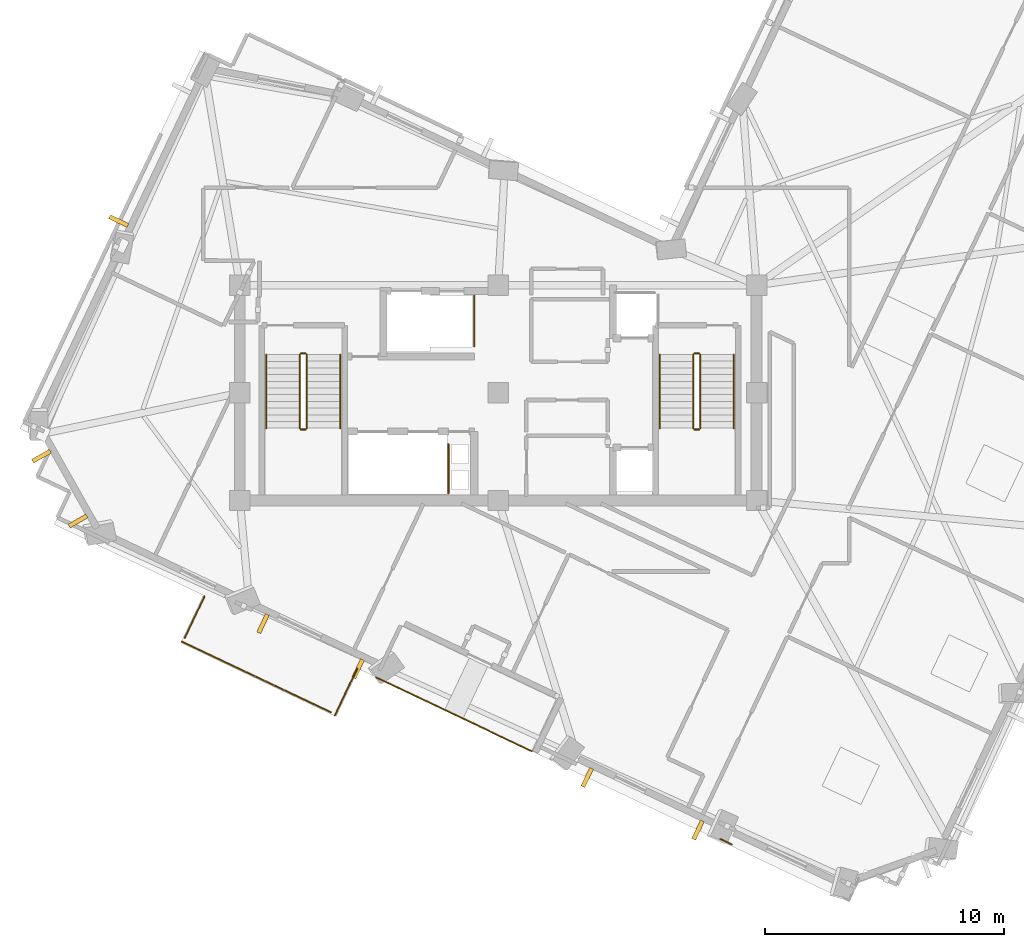
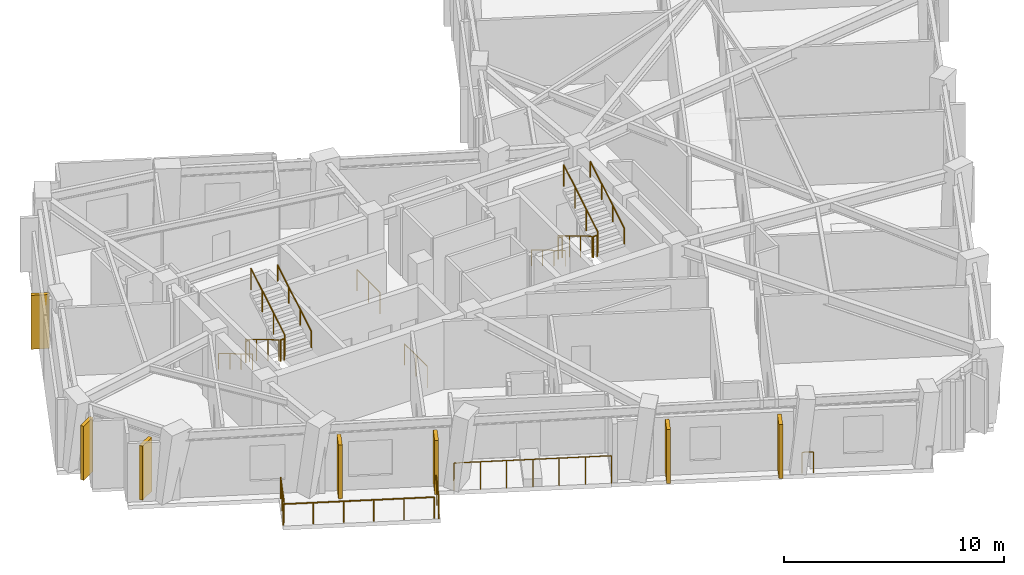
# One storey, part 10 of 13: 19 railings, 7 shading devices.
"""IFC4 building model written with IfcOpenShell, lengths in metres."""

import ifcopenshell
import ifcopenshell.guid

model = None  # the IFC model being written
_history = None  # IfcOwnerHistory: only IFC2X3 demands one
_inside = {}  # id of a spatial element -> (the spatial element, [elements in it])
_under = {}  # id of a project, library or spatial element -> (it, [spatial elements below it])
_declared = {}  # id of a project -> (the project, [libraries it declares])
_typed = {}  # id of a type object -> (the type object, [elements of that type])
_made_of = {}  # id of a material, layer set ... -> (it, [elements and type objects made of it])


def new_model(schema):
    """Start an empty IFC model of exactly this schema.

    Asked for "IFC4X3", IfcOpenShell would pick the latest addendum, in which some entities
    have other attributes; the version numbers below select the first issue.
    IFC2X3 requires an IfcOwnerHistory on every rooted entity: one is made here for all.
    """
    global model, _history
    if schema == "IFC4X3":
        model = ifcopenshell.file(schema_version=(4, 3, 0, 0))
    else:
        model = ifcopenshell.file(schema=schema)
    _inside.clear()
    _under.clear()
    _declared.clear()
    _typed.clear()
    _made_of.clear()
    _history = None
    if model.schema == "IFC2X3":
        org = make("IfcOrganization", Name="unknown")
        user = make(
            "IfcPersonAndOrganization",
            ThePerson=make("IfcPerson", FamilyName="unknown"),
            TheOrganization=org,
        )
        app = make(
            "IfcApplication",
            ApplicationDeveloper=org,
            Version="unknown",
            ApplicationFullName="unknown",
            ApplicationIdentifier="unknown",
        )
        _history = make(
            "IfcOwnerHistory",
            OwningUser=user,
            OwningApplication=app,
            ChangeAction="ADDED",
            CreationDate=0,
        )
    return model


def make(cls, **values):
    """One entity of the class cls with the attributes given. An attribute that is None is left unset."""
    return model.create_entity(
        cls, **{name: value for name, value in values.items() if value is not None}
    )


def rooted(cls, **values):
    """An entity with a GlobalId (a new one), such as an element, a storey or a relation."""
    return make(cls, GlobalId=ifcopenshell.guid.new(), OwnerHistory=_history, **values)


def si_unit(unit_type, name, prefix=None):
    """IfcSIUnit, for example si_unit("LENGTHUNIT", "METRE", prefix="MILLI")."""
    return make("IfcSIUnit", UnitType=unit_type, Prefix=prefix, Name=name)


def assignment(units):
    """IfcUnitAssignment: the units of a project."""
    return None if units is None else make("IfcUnitAssignment", Units=units)


def point(xyz):
    """IfcCartesianPoint."""
    return None if xyz is None else make("IfcCartesianPoint", Coordinates=xyz)


def direction(xyz):
    """IfcDirection."""
    return None if xyz is None else make("IfcDirection", DirectionRatios=xyz)


def frame(location, z_axis=None, x_axis=None):
    """IfcAxis2Placement3D, a coordinate frame: its origin and axes. An axis left out is left unset."""
    return make(
        "IfcAxis2Placement3D",
        Location=point(location),
        Axis=direction(z_axis),
        RefDirection=direction(x_axis),
    )


def frame_2d(location, x_axis=None):
    """IfcAxis2Placement2D, a coordinate frame in the plane: its origin and x axis."""
    return make(
        "IfcAxis2Placement2D", Location=point(location), RefDirection=direction(x_axis)
    )


def origin():
    """The frame at (0, 0, 0) with its axes left unset."""
    return frame((0.0, 0.0, 0.0))


def origin_2d():
    """The frame at (0, 0) in the plane with its x axis left unset."""
    return frame_2d((0.0, 0.0))


def place(relative_to, where):
    """IfcLocalPlacement: puts the frame where relative to a parent placement (None: the world)."""
    return make(
        "IfcLocalPlacement", PlacementRelTo=relative_to, RelativePlacement=where
    )


def context(
    kind, dimensions, precision=None, world=None, true_north=None, identifier=None
):
    """IfcGeometricRepresentationContext, for example the 3D "Model" context."""
    return make(
        "IfcGeometricRepresentationContext",
        ContextIdentifier=identifier,
        ContextType=kind,
        CoordinateSpaceDimension=dimensions,
        Precision=precision,
        WorldCoordinateSystem=world,
        TrueNorth=true_north,
    )


def subcontext(parent, identifier, kind, view, scale=None):
    """IfcGeometricRepresentationSubContext, for example "Body" below "Model"."""
    return make(
        "IfcGeometricRepresentationSubContext",
        ContextIdentifier=identifier,
        ContextType=kind,
        ParentContext=parent,
        TargetScale=scale,
        TargetView=view,
    )


def project(units=None, contexts=None):
    """IfcProject with its units and contexts."""
    return rooted(
        "IfcProject",
        Name="project",
        RepresentationContexts=contexts,
        UnitsInContext=assignment(units),
    )


def spatial(cls, under=None, at=None, **own):
    """A site, building, storey or space (cls), placed at a placement, below another one or the project."""
    s = rooted(cls, ObjectPlacement=at, **own)
    if under is not None:
        _under.setdefault(under.id(), (under, []))[1].append(s)
    return s


def profile(cls, at=None, kind="AREA", **sizes):
    """A parametric profile (cls). Its sizes go by their IFC names, for example OverallWidth=200.0."""
    return make(cls, ProfileType=kind, Position=at, **sizes)


def rectangle(**sizes):
    """IfcRectangleProfileDef."""
    return profile("IfcRectangleProfileDef", **sizes)


def circle(**sizes):
    """IfcCircleProfileDef."""
    return profile("IfcCircleProfileDef", **sizes)


def extrude(swept, where, along, depth):
    """IfcExtrudedAreaSolid: the profile swept, set in the frame where, extruded along a direction by depth."""
    return make(
        "IfcExtrudedAreaSolid",
        SweptArea=swept,
        Position=where,
        ExtrudedDirection=direction(along),
        Depth=depth,
    )


def shape(context_of_items, identifier, shape_type, items):
    """IfcShapeRepresentation: the items that make up one representation, for example the "Body"."""
    return make(
        "IfcShapeRepresentation",
        ContextOfItems=context_of_items,
        RepresentationIdentifier=identifier,
        RepresentationType=shape_type,
        Items=items,
    )


def material(Name=None, Category=None):
    """IfcMaterial."""
    return make("IfcMaterial", Name=Name, Category=Category)


def layer(
    of_material, thickness, ventilated=None, Name=None, Category=None, Priority=None
):
    """IfcMaterialLayer: one layer of a wall or slab, of a material (None: an air gap)."""
    return make(
        "IfcMaterialLayer",
        Material=of_material,
        LayerThickness=thickness,
        IsVentilated=ventilated,
        Name=Name,
        Category=Category,
        Priority=Priority,
    )


def layer_set(layers, Name=None):
    """IfcMaterialLayerSet."""
    return make("IfcMaterialLayerSet", MaterialLayers=layers, LayerSetName=Name)


def made_of(thing, what):
    """Note that an element or type object is made of a material, layer set ...; save() writes the relation."""
    if what is not None:
        _made_of.setdefault(what.id(), (what, []))[1].append(thing)
    return thing


def type_object(cls, material=None, **own):
    """A type object (cls), such as IfcWallType, which elements share."""
    return made_of(rooted(cls, **own), material)


def element(
    cls,
    number,
    at=None,
    inside=None,
    cuts=None,
    type_object=None,
    material=None,
    context=None,
    identifier="Body",
    shape_type=None,
    held_by="IfcProductDefinitionShape",
    body=None,
    shapes=None,
    **own,
):
    """One element of the class cls, such as IfcWall. Its Tag is "e" and its number.

    at: its placement. inside: the storey or other place that contains it. cuts: it is an
    opening in that element (IfcRelVoidsElement). A single representation is given by context,
    identifier, shape_type and body (its items); several are given by shapes. held_by: the class
    of the entity that holds the representations. save() writes the other relations.
    """
    e = rooted(cls, Tag="e%d" % number, ObjectPlacement=at, **own)
    if body is not None:
        shapes = [shape(context, identifier, shape_type, body)]
    if shapes is not None:
        e.Representation = make(held_by, Representations=shapes)
    if inside is not None:
        _inside.setdefault(inside.id(), (inside, []))[1].append(e)
    if cuts is not None:
        rooted(
            "IfcRelVoidsElement", RelatingBuildingElement=cuts, RelatedOpeningElement=e
        )
    if type_object is not None:
        _typed.setdefault(type_object.id(), (type_object, []))[1].append(e)
    return made_of(e, material)


def aggregate(whole, parts):
    """IfcRelAggregates: a whole, such as a stair, and the parts it consists of."""
    return rooted("IfcRelAggregates", RelatingObject=whole, RelatedObjects=parts)


def save(model, path):
    """Write the relations noted so far, then the file.

    IfcRelAggregates (storeys below a building ...), IfcRelContainedInSpatialStructure (elements
    in a storey), IfcRelDefinesByType, IfcRelAssociatesMaterial and IfcRelDeclares: one each for
    every whole, place, type object, material and project.
    """
    for whole, parts in _under.values():
        aggregate(whole, parts)
    for where, things in _inside.values():
        rooted(
            "IfcRelContainedInSpatialStructure",
            RelatedElements=things,
            RelatingStructure=where,
        )
    for kind, things in _typed.values():
        rooted("IfcRelDefinesByType", RelatedObjects=things, RelatingType=kind)
    for what, things in _made_of.values():
        rooted("IfcRelAssociatesMaterial", RelatedObjects=things, RelatingMaterial=what)
    for by, libraries in _declared.values():
        rooted("IfcRelDeclares", RelatingContext=by, RelatedDefinitions=libraries)
    model.write(path)


model = new_model("IFC4")

# Units and contexts
model_context = context("Model", 3, precision=1e-05, world=origin(), true_north=direction((0.0, 1.0)))
body_context = subcontext(model_context, "Body", "Model", "MODEL_VIEW")
ifc_project = project(units=[si_unit("LENGTHUNIT", "METRE"), si_unit("AREAUNIT", "SQUARE_METRE"), si_unit("VOLUMEUNIT", "CUBIC_METRE"), si_unit("PLANEANGLEUNIT", "RADIAN"), si_unit("MASSUNIT", "GRAM", prefix="KILO")], contexts=[model_context])

# Site, building, storey
site_placement = place(None, origin())
site = spatial("IfcSite", under=ifc_project, at=site_placement, CompositionType="ELEMENT")
building_placement = place(site_placement, origin())
building = spatial("IfcBuilding", under=site, at=building_placement, Name="Gaonmaruhae Medical Tower", CompositionType="ELEMENT")
storey_placement = place(building_placement, frame((0.0, 0.0, 300.60009765625)))
storey = spatial("IfcBuildingStorey", under=building, at=storey_placement, Name="L72", CompositionType="ELEMENT", Elevation=300.60009765625)

# Railings
ifc_material_1 = material(Name="Stainless steel 316L and laminated safety glass", Category="steel")
ifc_layer_1 = layer(ifc_material_1, 0.080078125)
ifc_layer_set_1 = layer_set([ifc_layer_1], Name="Stainless steel 316L and laminated safety glass")
railing_type_1 = type_object("IfcRailingType", Name="GD-120 Outdoor Terrace Safety Glass & Steel Balustrade", PredefinedType="BALUSTRADE", material=ifc_layer_set_1)
railing_1_placement = place(storey_placement, frame((34.55810546875, -6.57373046875, 0.0)))
element("IfcRailing", 1, at=railing_1_placement, inside=storey, type_object=railing_type_1, Name="L72 Perimeter Slab Edge Safety Balustrade 05", PredefinedType="BALUSTRADE", context=body_context, shape_type="SweptSolid", body=[
    extrude(circle(Radius=0.02392578125, at=origin_2d()), frame((0.0, 0.0, 1.17578125), z_axis=(-0.903373264653, 0.428855155862, 0.0), x_axis=(-0.428855155862, -0.903373264653, 0.0)), (0.0, 0.0, 1.0), 0.5185546875),
    extrude(circle(Radius=0.02099609375, at=origin_2d()), origin(), (0.0, 0.0, 1.0), 1.15185546875),
    extrude(circle(Radius=0.02099609375, at=origin_2d()), frame((-0.468505859375, 0.222412109375, 0.0)), (0.0, 0.0, 1.0), 1.15185546875),
])
railing_2_placement = place(storey_placement, frame((18.898193359375, 0.762451171875, 0.0)))
element("IfcRailing", 2, at=railing_2_placement, inside=storey, type_object=railing_type_1, Name="L72 Perimeter Slab Edge Safety Balustrade 06", PredefinedType="BALUSTRADE", context=body_context, shape_type="SweptSolid", body=[
    extrude(circle(Radius=0.02392578125, at=origin_2d()), frame((0.0, 0.0, 1.17578125), z_axis=(-0.428946145243, -0.903330063975, 0.0), x_axis=(0.903330063975, -0.428946145243, 0.0)), (0.0, 0.0, 1.0), 2.159912109375),
    extrude(circle(Radius=0.02099609375, at=origin_2d()), origin(), (0.0, 0.0, 1.0), 1.15185546875),
    extrude(circle(Radius=0.02099609375, at=origin_2d()), frame((-0.46337890625, -0.9755859375, 0.0)), (0.0, 0.0, 1.0), 1.15185546875),
    extrude(circle(Radius=0.02099609375, at=origin_2d()), frame((-0.926513671875, -1.951171875, 0.0)), (0.0, 0.0, 1.0), 1.15185546875),
])
railing_3_placement = place(storey_placement, frame((17.8037109375, -1.053466796875, 0.0)))
element("IfcRailing", 3, at=railing_3_placement, inside=storey, type_object=railing_type_1, Name="L72 Perimeter Slab Edge Safety Balustrade 07", PredefinedType="BALUSTRADE", context=body_context, shape_type="SweptSolid", body=[
    extrude(circle(Radius=0.02392578125, at=origin_2d()), frame((0.0, 0.0, 1.17578125), z_axis=(-0.903335431509, 0.428934841416, 0.0), x_axis=(-0.428934841416, -0.903335431509, 0.0)), (0.0, 0.0, 1.0), 6.900146484375),
    extrude(circle(Radius=0.02099609375, at=origin_2d()), origin(), (0.0, 0.0, 1.0), 1.15185546875),
    extrude(circle(Radius=0.02099609375, at=origin_2d()), frame((-1.24658203125, 0.592041015625, 0.0)), (0.0, 0.0, 1.0), 1.15185546875),
    extrude(circle(Radius=0.02099609375, at=origin_2d()), frame((-2.4931640625, 1.183837890625, 0.0)), (0.0, 0.0, 1.0), 1.15185546875),
    extrude(circle(Radius=0.02099609375, at=origin_2d()), frame((-3.739990234375, 1.77587890625, 0.0)), (0.0, 0.0, 1.0), 1.15185546875),
    extrude(circle(Radius=0.02099609375, at=origin_2d()), frame((-4.986572265625, 2.36767578125, 0.0)), (0.0, 0.0, 1.0), 1.15185546875),
    extrude(circle(Radius=0.02099609375, at=origin_2d()), frame((-6.233154296875, 2.959716796875, 0.0)), (0.0, 0.0, 1.0), 1.15185546875),
])
railing_4_placement = place(storey_placement, frame((11.696533203125, 2.054931640625, 0.0)))
element("IfcRailing", 4, at=railing_4_placement, inside=storey, type_object=railing_type_1, Name="L72 Perimeter Slab Edge Safety Balustrade 08", PredefinedType="BALUSTRADE", context=body_context, shape_type="SweptSolid", body=[
    extrude(circle(Radius=0.02392578125, at=origin_2d()), frame((0.0, 0.0, 1.17578125), z_axis=(0.428927231464, 0.903339044938, 0.0), x_axis=(-0.903339044938, 0.428927231464, 0.0)), (0.0, 0.0, 1.0), 1.921630859375),
    extrude(circle(Radius=0.02099609375, at=origin_2d()), origin(), (0.0, 0.0, 1.0), 1.15185546875),
    extrude(circle(Radius=0.02099609375, at=origin_2d()), frame((0.412109375, 0.867919921875, 0.0)), (0.0, 0.0, 1.0), 1.15185546875),
    extrude(circle(Radius=0.02099609375, at=origin_2d()), frame((0.82421875, 1.73583984375, 0.0)), (0.0, 0.0, 1.0), 1.15185546875),
])
ifc_layer_2 = layer(ifc_material_1, 0.080078125)
ifc_layer_set_2 = layer_set([ifc_layer_2], Name="Stainless steel 316L and laminated safety glass")
railing_type_2 = type_object("IfcRailingType", Name="GD-155 Planter-Edge Raised Safety Balustrade", PredefinedType="BALUSTRADE", material=ifc_layer_set_2)
railing_5_placement = place(storey_placement, frame((19.69287109375, 0.407470703125, 0.0)))
element("IfcRailing", 5, at=railing_5_placement, inside=storey, type_object=railing_type_2, Name="L72 Terrace Safety Guard RL-SLB-L72-TER-04", PredefinedType="BALUSTRADE", context=body_context, shape_type="SweptSolid", body=[
    extrude(circle(Radius=0.02392578125, at=origin_2d()), frame((0.0, 0.0, 1.52587890625), z_axis=(0.903330063975, -0.428946145243, 0.0), x_axis=(0.428946145243, 0.903330063975, 0.0)), (0.0, 0.0, 1.0), 7.199951171875),
    extrude(circle(Radius=0.02099609375, at=origin_2d()), origin(), (0.0, 0.0, 1.0), 1.501953125),
    extrude(circle(Radius=0.02099609375, at=origin_2d()), frame((1.083984375, -0.5146484375, 0.0)), (0.0, 0.0, 1.0), 1.501953125),
    extrude(circle(Radius=0.02099609375, at=origin_2d()), frame((2.16796875, -1.029541015625, 0.0)), (0.0, 0.0, 1.0), 1.501953125),
    extrude(circle(Radius=0.02099609375, at=origin_2d()), frame((3.251953125, -1.544189453125, 0.0)), (0.0, 0.0, 1.0), 1.501953125),
    extrude(circle(Radius=0.02099609375, at=origin_2d()), frame((4.3359375, -2.058837890625, 0.0)), (0.0, 0.0, 1.0), 1.501953125),
    extrude(circle(Radius=0.02099609375, at=origin_2d()), frame((5.419921875, -2.57373046875, 0.0)), (0.0, 0.0, 1.0), 1.501953125),
    extrude(circle(Radius=0.02099609375, at=origin_2d()), frame((6.50390625, -3.08837890625, 0.0)), (0.0, 0.0, 1.0), 1.501953125),
])
ifc_material_2 = material(Name="Stainless steel 304 handrail", Category="steel")
railing_type_3 = type_object("IfcRailingType", Name="HR-092 Continuous Stainless Steel Stair Handrail", PredefinedType="HANDRAIL", material=ifc_material_2)
railing_6_placement = place(storey_placement, frame((15.10009765625, 13.89990234375, 0.16650390625)))
element("IfcRailing", 6, at=railing_6_placement, inside=storey, type_object=railing_type_3, Name="L72 ST-01 stair handrail 1", PredefinedType="HANDRAIL", context=body_context, shape_type="SweptSolid", body=[
    extrude(circle(Radius=0.02392578125, at=origin_2d()), frame((0.0, 0.0, 0.8759765625), z_axis=(0.0, -0.859260807169, 0.511537745687), x_axis=(1.0, 0.0, 0.0)), (0.0, 0.0, 1.0), 3.584228515625),
    extrude(circle(Radius=0.02099609375, at=origin_2d()), origin(), (0.0, 0.0, 1.0), 0.851806640625),
    extrude(circle(Radius=0.02099609375, at=origin_2d()), frame((0.0, -1.026611328125, 0.611083984375)), (0.0, 0.0, 1.0), 0.851806640625),
    extrude(circle(Radius=0.02099609375, at=origin_2d()), frame((0.0, -2.05322265625, 1.222412109375)), (0.0, 0.0, 1.0), 0.851806640625),
    extrude(circle(Radius=0.02099609375, at=origin_2d()), frame((0.0, -3.079833984375, 1.83349609375)), (0.0, 0.0, 1.0), 0.851806640625),
])
railing_7_placement = place(storey_placement, frame((18.199951171875, 10.820068359375, 2.16650390625)))
element("IfcRailing", 7, at=railing_7_placement, inside=storey, type_object=railing_type_3, Name="L72 ST-01 stair handrail 2", PredefinedType="HANDRAIL", context=body_context, shape_type="SweptSolid", body=[
    extrude(circle(Radius=0.02392578125, at=origin_2d()), frame((0.0, 0.0, 0.8759765625), z_axis=(0.0, 0.859260807169, 0.511537745687), x_axis=(-1.0, 0.0, 0.0)), (0.0, 0.0, 1.0), 3.584228515625),
    extrude(circle(Radius=0.02099609375, at=origin_2d()), origin(), (0.0, 0.0, 1.0), 0.851806640625),
    extrude(circle(Radius=0.02099609375, at=origin_2d()), frame((0.0, 1.026611328125, 0.611083984375)), (0.0, 0.0, 1.0), 0.851806640625),
    extrude(circle(Radius=0.02099609375, at=origin_2d()), frame((0.0, 2.05322265625, 1.222412109375)), (0.0, 0.0, 1.0), 0.851806640625),
    extrude(circle(Radius=0.02099609375, at=origin_2d()), frame((0.0, 3.079833984375, 1.83349609375)), (0.0, 0.0, 1.0), 0.851806640625),
])
railing_8_placement = place(storey_placement, frame((31.550048828125, 13.89990234375, 0.16650390625)))
element("IfcRailing", 8, at=railing_8_placement, inside=storey, type_object=railing_type_3, Name="L72 ST-02 stair handrail 1", PredefinedType="HANDRAIL", context=body_context, shape_type="SweptSolid", body=[
    extrude(circle(Radius=0.02392578125, at=origin_2d()), frame((0.0, 0.0, 0.8759765625), z_axis=(0.0, -0.859260807169, 0.511537745687), x_axis=(1.0, 0.0, 0.0)), (0.0, 0.0, 1.0), 3.584228515625),
    extrude(circle(Radius=0.02099609375, at=origin_2d()), origin(), (0.0, 0.0, 1.0), 0.851806640625),
    extrude(circle(Radius=0.02099609375, at=origin_2d()), frame((0.0, -1.026611328125, 0.611083984375)), (0.0, 0.0, 1.0), 0.851806640625),
    extrude(circle(Radius=0.02099609375, at=origin_2d()), frame((0.0, -2.05322265625, 1.222412109375)), (0.0, 0.0, 1.0), 0.851806640625),
    extrude(circle(Radius=0.02099609375, at=origin_2d()), frame((0.0, -3.079833984375, 1.83349609375)), (0.0, 0.0, 1.0), 0.851806640625),
])
railing_9_placement = place(storey_placement, frame((34.64990234375, 10.820068359375, 2.16650390625)))
element("IfcRailing", 9, at=railing_9_placement, inside=storey, type_object=railing_type_3, Name="L72 ST-02 stair handrail 2", PredefinedType="HANDRAIL", context=body_context, shape_type="SweptSolid", body=[
    extrude(circle(Radius=0.02392578125, at=origin_2d()), frame((0.0, 0.0, 0.8759765625), z_axis=(0.0, 0.859260807169, 0.511537745687), x_axis=(-1.0, 0.0, 0.0)), (0.0, 0.0, 1.0), 3.584228515625),
    extrude(circle(Radius=0.02099609375, at=origin_2d()), origin(), (0.0, 0.0, 1.0), 0.851806640625),
    extrude(circle(Radius=0.02099609375, at=origin_2d()), frame((0.0, 1.026611328125, 0.611083984375)), (0.0, 0.0, 1.0), 0.851806640625),
    extrude(circle(Radius=0.02099609375, at=origin_2d()), frame((0.0, 2.05322265625, 1.222412109375)), (0.0, 0.0, 1.0), 0.851806640625),
    extrude(circle(Radius=0.02099609375, at=origin_2d()), frame((0.0, 3.079833984375, 1.83349609375)), (0.0, 0.0, 1.0), 0.851806640625),
])

# Shading devices
ifc_material_3 = material(Name="Pigmented coral precast concrete C45/55", Category="concrete")
shading_device_type = type_object("IfcShadingDeviceType", Name="SD-FIN1 Tower Vertical Coral Precast Shading Fin", PredefinedType="USERDEFINED", material=ifc_material_3)
for number, where, z_axis, x_axis, name in (
    (10, (8.93798828125, 19.477294921875, 0.13232421875), (0.0, 0.0, 1.0), (0.428935133403, 0.903335292863, 0.0), "L72 Vertical Coral Precast Shading Fin N01"),
    (11, (7.2333984375, 6.9423828125, 0.13232421875), (0.0, 0.0, 1.0), (-0.490630029504, 0.871367990088, 0.0), "L72 Vertical Coral Precast Shading Fin N03"),
    (12, (5.70849609375, 9.65087890625, 0.13232421875), (0.0, 0.0, 1.0), (-0.490630029504, 0.871367990088, 0.0), "L72 Vertical Coral Precast Shading Fin N03B"),
    (13, (18.9453125, 0.767822265625, 0.122314453125), (0.0, 0.0, 1.0), (-0.903335292863, 0.428935133403, 0.0), "L72 Vertical Coral Precast Shading Fin W02"),
    (14, (14.97021484375, 2.655517578125, 0.122314453125), (0.0, 0.0, 1.0), (-0.903335292863, 0.428935133403, 0.0), "L72 Vertical Coral Precast Shading Fin W02B"),
    (15, (33.15087890625, -5.9775390625, 0.122314453125), (0.0, 0.0, 1.0), (-0.903335292863, 0.428935133403, 0.0), "L72 Vertical Coral Precast Shading Fin W04"),
    (16, (28.521240234375, -3.779052734375, 0.122314453125), (0.0, 0.0, 1.0), (-0.903335292863, 0.428935133403, 0.0), "L72 Vertical Coral Precast Shading Fin W04B"),
):
    element("IfcShadingDevice", number, at=place(storey_placement, frame(where, z_axis=z_axis, x_axis=x_axis)), inside=storey, type_object=shading_device_type, Name=name, ObjectType="FIN", PredefinedType="USERDEFINED", context=body_context, shape_type="SweptSolid", body=[
        extrude(rectangle(XDim=0.179931640625, YDim=0.85009765625, at=origin_2d()), origin(), (0.0, 0.0, 1.0), 3.0),
    ])

# Railings
ifc_material_4 = material(Name="Stainless steel 304 balustrade", Category="steel")
railing_type_4 = type_object("IfcRailingType", Name="SG-112 Stair Well & Ramp Void Safety Balustrade", PredefinedType="BALUSTRADE", material=ifc_material_4)
railing_10_placement = place(storey_placement, frame((16.5, 13.89990234375, 0.16650390625)))
element("IfcRailing", 17, at=railing_10_placement, inside=storey, type_object=railing_type_4, Name="L72 ST-01 stair guard 1", PredefinedType="BALUSTRADE", context=body_context, shape_type="SweptSolid", body=[
    extrude(circle(Radius=0.02392578125, at=origin_2d()), frame((0.0, 0.0, 1.17578125), z_axis=(0.0, -0.859260807169, 0.511537745687), x_axis=(1.0, 0.0, 0.0)), (0.0, 0.0, 1.0), 3.584228515625),
    extrude(circle(Radius=0.02099609375, at=origin_2d()), origin(), (0.0, 0.0, 1.0), 1.15185546875),
    extrude(circle(Radius=0.02099609375, at=origin_2d()), frame((0.0, -1.026611328125, 0.611083984375)), (0.0, 0.0, 1.0), 1.15185546875),
    extrude(circle(Radius=0.02099609375, at=origin_2d()), frame((0.0, -2.05322265625, 1.222412109375)), (0.0, 0.0, 1.0), 1.15185546875),
    extrude(circle(Radius=0.02099609375, at=origin_2d()), frame((0.0, -3.079833984375, 1.83349609375)), (0.0, 0.0, 1.0), 1.15185546875),
])
railing_11_placement = place(storey_placement, frame((16.550048828125, 10.77001953125, 2.0)))
element("IfcRailing", 18, at=railing_11_placement, inside=storey, type_object=railing_type_4, Name="L72 ST-01 stair guard 2", PredefinedType="BALUSTRADE", context=body_context, shape_type="SweptSolid", body=[
    extrude(circle(Radius=0.02392578125, at=origin_2d()), frame((0.0, 0.0, 1.17578125), z_axis=(1.0, 0.0, 0.0), x_axis=(0.0, 1.0, 0.0)), (0.0, 0.0, 1.0), 0.199951171875),
    extrude(circle(Radius=0.02099609375, at=origin_2d()), origin(), (0.0, 0.0, 1.0), 1.15185546875),
    extrude(circle(Radius=0.02099609375, at=origin_2d()), frame((0.199951171875, 0.0, 0.0)), (0.0, 0.0, 1.0), 1.15185546875),
])
railing_12_placement = place(storey_placement, frame((16.800048828125, 10.820068359375, 2.16650390625)))
element("IfcRailing", 19, at=railing_12_placement, inside=storey, type_object=railing_type_4, Name="L72 ST-01 stair guard 3", PredefinedType="BALUSTRADE", context=body_context, shape_type="SweptSolid", body=[
    extrude(circle(Radius=0.02392578125, at=origin_2d()), frame((0.0, 0.0, 1.17578125), z_axis=(0.0, 0.859260807169, 0.511537745687), x_axis=(-1.0, 0.0, 0.0)), (0.0, 0.0, 1.0), 3.584228515625),
    extrude(circle(Radius=0.02099609375, at=origin_2d()), origin(), (0.0, 0.0, 1.0), 1.15185546875),
    extrude(circle(Radius=0.02099609375, at=origin_2d()), frame((0.0, 1.026611328125, 0.611083984375)), (0.0, 0.0, 1.0), 1.15185546875),
    extrude(circle(Radius=0.02099609375, at=origin_2d()), frame((0.0, 2.05322265625, 1.222412109375)), (0.0, 0.0, 1.0), 1.15185546875),
    extrude(circle(Radius=0.02099609375, at=origin_2d()), frame((0.0, 3.079833984375, 1.83349609375)), (0.0, 0.0, 1.0), 1.15185546875),
])
railing_13_placement = place(storey_placement, frame((16.550048828125, 13.949951171875, 0.0)))
element("IfcRailing", 20, at=railing_13_placement, inside=storey, type_object=railing_type_4, Name="L72 ST-01 stair guard 4", PredefinedType="BALUSTRADE", context=body_context, shape_type="SweptSolid", body=[
    extrude(circle(Radius=0.02392578125, at=origin_2d()), frame((0.0, 0.0, 1.17578125), z_axis=(1.0, 0.0, 0.0), x_axis=(0.0, 1.0, 0.0)), (0.0, 0.0, 1.0), 0.199951171875),
    extrude(circle(Radius=0.02099609375, at=origin_2d()), origin(), (0.0, 0.0, 1.0), 1.15185546875),
    extrude(circle(Radius=0.02099609375, at=origin_2d()), frame((0.199951171875, 0.0, 0.0)), (0.0, 0.0, 1.0), 1.15185546875),
])
railing_14_placement = place(storey_placement, frame((32.949951171875, 13.89990234375, 0.16650390625)))
element("IfcRailing", 21, at=railing_14_placement, inside=storey, type_object=railing_type_4, Name="L72 ST-02 stair guard 1", PredefinedType="BALUSTRADE", context=body_context, shape_type="SweptSolid", body=[
    extrude(circle(Radius=0.02392578125, at=origin_2d()), frame((0.0, 0.0, 1.17578125), z_axis=(0.0, -0.859260807169, 0.511537745687), x_axis=(1.0, 0.0, 0.0)), (0.0, 0.0, 1.0), 3.584228515625),
    extrude(circle(Radius=0.02099609375, at=origin_2d()), origin(), (0.0, 0.0, 1.0), 1.15185546875),
    extrude(circle(Radius=0.02099609375, at=origin_2d()), frame((0.0, -1.026611328125, 0.611083984375)), (0.0, 0.0, 1.0), 1.15185546875),
    extrude(circle(Radius=0.02099609375, at=origin_2d()), frame((0.0, -2.05322265625, 1.222412109375)), (0.0, 0.0, 1.0), 1.15185546875),
    extrude(circle(Radius=0.02099609375, at=origin_2d()), frame((0.0, -3.079833984375, 1.83349609375)), (0.0, 0.0, 1.0), 1.15185546875),
])
railing_15_placement = place(storey_placement, frame((33.0, 10.77001953125, 2.0)))
element("IfcRailing", 22, at=railing_15_placement, inside=storey, type_object=railing_type_4, Name="L72 ST-02 stair guard 2", PredefinedType="BALUSTRADE", context=body_context, shape_type="SweptSolid", body=[
    extrude(circle(Radius=0.02392578125, at=origin_2d()), frame((0.0, 0.0, 1.17578125), z_axis=(1.0, 0.0, 0.0), x_axis=(0.0, 1.0, 0.0)), (0.0, 0.0, 1.0), 0.199951171875),
    extrude(circle(Radius=0.02099609375, at=origin_2d()), origin(), (0.0, 0.0, 1.0), 1.15185546875),
    extrude(circle(Radius=0.02099609375, at=origin_2d()), frame((0.199951171875, 0.0, 0.0)), (0.0, 0.0, 1.0), 1.15185546875),
])
railing_16_placement = place(storey_placement, frame((33.25, 10.820068359375, 2.16650390625)))
element("IfcRailing", 23, at=railing_16_placement, inside=storey, type_object=railing_type_4, Name="L72 ST-02 stair guard 3", PredefinedType="BALUSTRADE", context=body_context, shape_type="SweptSolid", body=[
    extrude(circle(Radius=0.02392578125, at=origin_2d()), frame((0.0, 0.0, 1.17578125), z_axis=(0.0, 0.859260807169, 0.511537745687), x_axis=(-1.0, 0.0, 0.0)), (0.0, 0.0, 1.0), 3.584228515625),
    extrude(circle(Radius=0.02099609375, at=origin_2d()), origin(), (0.0, 0.0, 1.0), 1.15185546875),
    extrude(circle(Radius=0.02099609375, at=origin_2d()), frame((0.0, 1.026611328125, 0.611083984375)), (0.0, 0.0, 1.0), 1.15185546875),
    extrude(circle(Radius=0.02099609375, at=origin_2d()), frame((0.0, 2.05322265625, 1.222412109375)), (0.0, 0.0, 1.0), 1.15185546875),
    extrude(circle(Radius=0.02099609375, at=origin_2d()), frame((0.0, 3.079833984375, 1.83349609375)), (0.0, 0.0, 1.0), 1.15185546875),
])
railing_17_placement = place(storey_placement, frame((33.0, 13.949951171875, 0.0)))
element("IfcRailing", 24, at=railing_17_placement, inside=storey, type_object=railing_type_4, Name="L72 ST-02 stair guard 4", PredefinedType="BALUSTRADE", context=body_context, shape_type="SweptSolid", body=[
    extrude(circle(Radius=0.02392578125, at=origin_2d()), frame((0.0, 0.0, 1.17578125), z_axis=(1.0, 0.0, 0.0), x_axis=(0.0, 1.0, 0.0)), (0.0, 0.0, 1.0), 0.199951171875),
    extrude(circle(Radius=0.02099609375, at=origin_2d()), origin(), (0.0, 0.0, 1.0), 1.15185546875),
    extrude(circle(Radius=0.02099609375, at=origin_2d()), frame((0.199951171875, 0.0, 0.0)), (0.0, 0.0, 1.0), 1.15185546875),
])
railing_18_placement = place(storey_placement, frame((22.719970703125, 10.159912109375, 0.0)))
element("IfcRailing", 25, at=railing_18_placement, inside=storey, type_object=railing_type_4, Name="L72 Shaft Edge Safety Guard 10", PredefinedType="BALUSTRADE", context=body_context, shape_type="SweptSolid", body=[
    extrude(circle(Radius=0.02392578125, at=origin_2d()), frame((0.0, 0.0, 1.17578125), z_axis=(0.0, -1.0, 0.0), x_axis=(1.0, 0.0, 0.0)), (0.0, 0.0, 1.0), 2.06494140625),
    extrude(circle(Radius=0.02099609375, at=origin_2d()), origin(), (0.0, 0.0, 1.0), 1.15185546875),
    extrude(circle(Radius=0.02099609375, at=origin_2d()), frame((0.0, -1.032470703125, 0.0)), (0.0, 0.0, 1.0), 1.15185546875),
    extrude(circle(Radius=0.02099609375, at=origin_2d()), frame((0.0, -2.06494140625, 0.0)), (0.0, 0.0, 1.0), 1.15185546875),
])
railing_19_placement = place(storey_placement, frame((23.794921875, 16.35498046875, 0.0)))
element("IfcRailing", 26, at=railing_19_placement, inside=storey, type_object=railing_type_4, Name="L72 Shaft Edge Safety Guard 11", PredefinedType="BALUSTRADE", context=body_context, shape_type="SweptSolid", body=[
    extrude(circle(Radius=0.02392578125, at=origin_2d()), frame((0.0, 0.0, 1.17578125), z_axis=(0.0, -1.0, 0.0), x_axis=(1.0, 0.0, 0.0)), (0.0, 0.0, 1.0), 2.10986328125),
    extrude(circle(Radius=0.02099609375, at=origin_2d()), origin(), (0.0, 0.0, 1.0), 1.15185546875),
    extrude(circle(Radius=0.02099609375, at=origin_2d()), frame((0.0, -1.054931640625, 0.0)), (0.0, 0.0, 1.0), 1.15185546875),
    extrude(circle(Radius=0.02099609375, at=origin_2d()), frame((0.0, -2.10986328125, 0.0)), (0.0, 0.0, 1.0), 1.15185546875),
])

save(model, "model.ifc")
